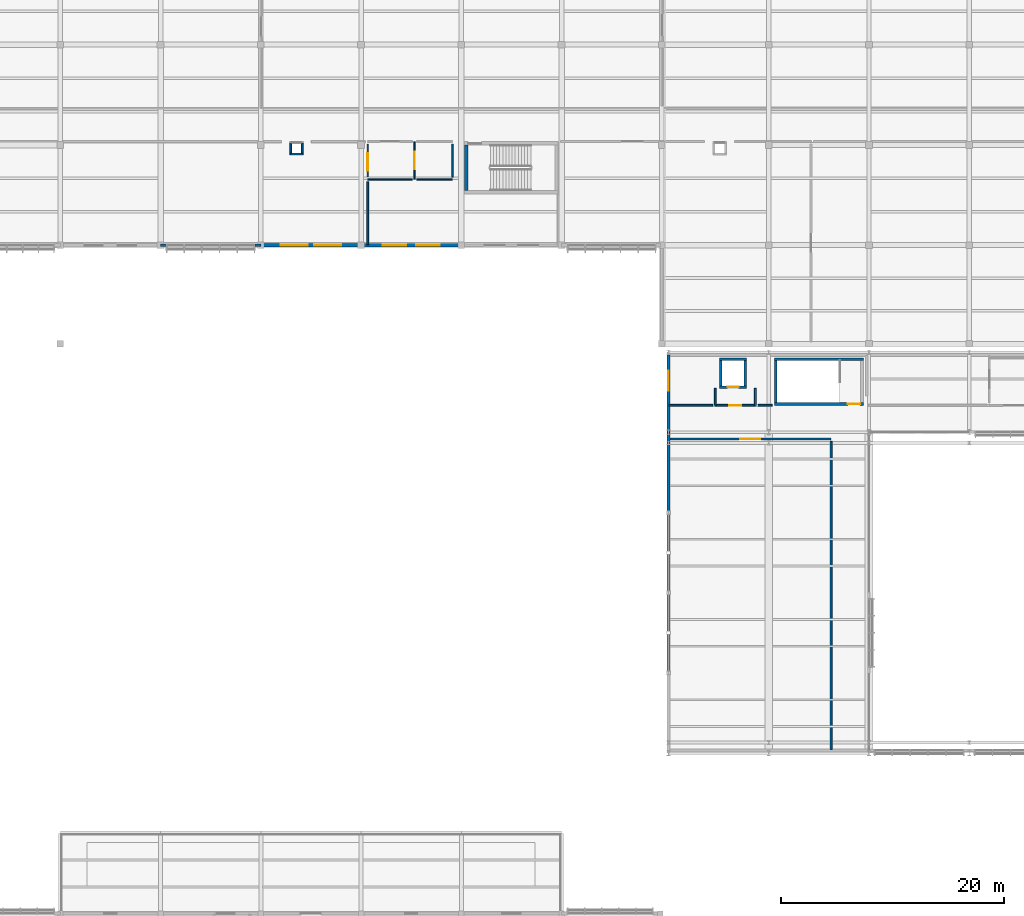
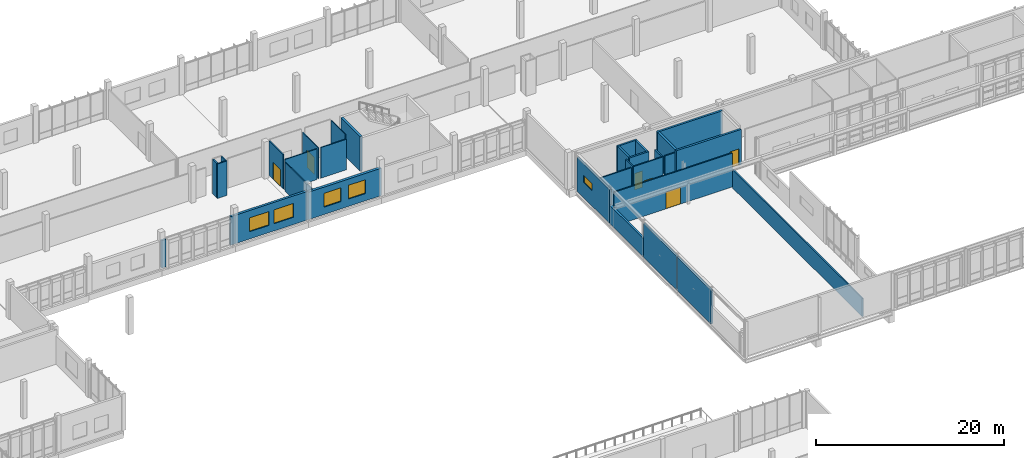
# One storey, part 155 of 177: 32 walls, 6 doors, 5 windows, 11 openings.
"""IFC4 building model written with IfcOpenShell, lengths in metres."""

from ifc_helpers import new_model, si_unit, direction, frame, frame_2d, origin, place, context, subcontext, project, spatial, rectangle, extrude, material, layer, layer_set, type_object, element, fill, save


model = new_model("IFC4")

# Units and contexts
model_context = context("Model", 3, precision=1e-05, world=origin(), true_north=direction((0.0, 1.0)))
body_context = subcontext(model_context, "Body", "Model", "MODEL_VIEW")
ifc_project = project(units=[si_unit("LENGTHUNIT", "METRE"), si_unit("AREAUNIT", "SQUARE_METRE"), si_unit("VOLUMEUNIT", "CUBIC_METRE"), si_unit("PLANEANGLEUNIT", "RADIAN"), si_unit("MASSUNIT", "GRAM", prefix="KILO")], contexts=[model_context])

# Site, building, storey
site_placement = place(None, origin())
site = spatial("IfcSite", under=ifc_project, at=site_placement, CompositionType="ELEMENT")
building_placement = place(site_placement, origin())
building = spatial("IfcBuilding", under=site, at=building_placement, Name="Chiffa Square Polytechnic", CompositionType="ELEMENT")
storey_placement = place(building_placement, frame((0.0, 0.0, 4.800048828125)))
storey = spatial("IfcBuildingStorey", under=building, at=storey_placement, Name="L01", CompositionType="ELEMENT", Elevation=4.800048828125)

# Wall, opening, door
ifc_material_1 = material(Name="Concrete C40/50", Category="concrete")
ifc_layer_1 = layer(ifc_material_1, 0.25, Name="Concrete C40/50")
ifc_layer_set_1 = layer_set([ifc_layer_1], Name="Concrete C40/50")
wall_type_1 = type_object("IfcWallType", Name="WL-CORE-250", PredefinedType="SHEAR", material=ifc_layer_set_1)
wall_1_placement = place(storey_placement, frame((121.699951171875, 89.550048828125, 0.0), z_axis=(0.0, 0.0, 1.0), x_axis=(1.0, 0.0, 0.0)))
wall_1 = element("IfcWall", 1, at=wall_1_placement, inside=storey, type_object=wall_type_1, Name="Core or enclosure wall WC-CORE-V2A-L01-SOUTH", PredefinedType="SHEAR", context=body_context, shape_type="SweptSolid", body=[
    extrude(rectangle(XDim=8.0, YDim=0.25, at=frame_2d((4.0, 0.0))), origin(), (0.0, 0.0, 1.0), 4.599853515625),
])
opening_1_placement = place(wall_1_placement, frame((6.60009765625, 0.0, 0.0)))
opening_1 = element("IfcOpeningElement", 2, at=opening_1_placement, cuts=wall_1, Name="Opening DS-L01-018", PredefinedType="OPENING", context=body_context, shape_type="SweptSolid", body=[
    extrude(rectangle(XDim=1.10009765625, YDim=2.14990234375, at=frame_2d((0.550048828125, 1.074951171875))), frame((0.0, 0.135009765625, 0.0), z_axis=(0.0, -1.0, 0.0), x_axis=(1.0, 0.0, 0.0)), (0.0, 0.0, 1.0), 0.27001953125),
])
ifc_material_2 = material(Name="Fire-rated painted steel leaf", Category="steel")
door_type_1 = type_object("IfcDoorType", Name="DR-STAIR-1100", OperationType="NOTDEFINED", PredefinedType="DOOR", material=ifc_material_2)
door_1_placement = place(opening_1_placement, origin())
door_1 = element("IfcDoor", 3, at=door_1_placement, inside=storey, type_object=door_type_1, Name="Enclosure door DS-L01-018", OperationType="SINGLE_SWING_RIGHT", OverallHeight=2.14990234375, OverallWidth=1.10009765625, PredefinedType="DOOR", context=body_context, shape_type="SweptSolid", body=[
    extrude(rectangle(XDim=1.10009765625, YDim=2.14990234375, at=frame_2d((0.550048828125, 1.074951171875))), frame((0.0, 0.02490234375, 0.0), z_axis=(0.0, -1.0, 0.0), x_axis=(1.0, 0.0, 0.0)), (0.0, 0.0, 1.0), 0.050048828125),
])
fill(opening_1, door_1)

# Walls
wall_2_placement = place(storey_placement, frame((121.699951171875, 93.554931640625, 0.0), z_axis=(0.0, 0.0, 1.0), x_axis=(1.0, 0.0, 0.0)))
element("IfcWall", 4, at=wall_2_placement, inside=storey, type_object=wall_type_1, Name="Core or enclosure wall WC-CORE-V2A-L01-NORTH", PredefinedType="SHEAR", context=body_context, shape_type="SweptSolid", body=[
    extrude(rectangle(XDim=8.0, YDim=0.25, at=frame_2d((4.0, 0.0))), origin(), (0.0, 0.0, 1.0), 4.599853515625),
])
wall_3_placement = place(storey_placement, frame((121.824951171875, 89.675048828125, 0.0), z_axis=(0.0, 0.0, 1.0), x_axis=(0.0, 1.0, 0.0)))
element("IfcWall", 5, at=wall_3_placement, inside=storey, type_object=wall_type_1, Name="Core or enclosure wall WC-CORE-V2A-L01-WEST", PredefinedType="SHEAR", context=body_context, shape_type="SweptSolid", body=[
    extrude(rectangle(XDim=3.7548828125, YDim=0.25, at=frame_2d((1.87744140625, 0.0))), origin(), (0.0, 0.0, 1.0), 4.599853515625),
])
ifc_layer_2 = layer(ifc_material_1, 0.300048828125, Name="Concrete C40/50")
ifc_layer_set_2 = layer_set([ifc_layer_2], Name="Concrete C40/50")
wall_type_2 = type_object("IfcWallType", Name="WL-CORE-300", PredefinedType="SHEAR", material=ifc_layer_set_2)
wall_4_placement = place(storey_placement, frame((94.050048828125, 108.699951171875, 0.0), z_axis=(0.0, 0.0, 1.0), x_axis=(0.0, 1.0, 0.0)))
element("IfcWall", 6, at=wall_4_placement, inside=storey, type_object=wall_type_2, Name="Core or enclosure wall WC-CORE-V5B-L01-WEST", PredefinedType="SHEAR", context=body_context, shape_type="SweptSolid", body=[
    extrude(rectangle(XDim=4.10009765625, YDim=0.300048828125, at=frame_2d((2.050048828125, 0.0))), origin(), (0.0, 0.0, 1.0), 4.47998046875),
])

# Wall, opening, window
ifc_material_3 = material(Name="Precast concrete C40/50", Category="concrete")
ifc_layer_3 = layer(ifc_material_3, 0.239990234375, Name="Precast concrete C40/50")
ifc_layer_set_3 = layer_set([ifc_layer_3], Name="Precast concrete C40/50")
wall_type_3 = type_object("IfcWallType", Name="WL-EXT-PC240", PredefinedType="SOLIDWALL", material=ifc_layer_set_3)
wall_5_placement = place(storey_placement, frame((112.199951171875, 93.949951171875, 0.0), z_axis=(0.0, 0.0, 1.0), x_axis=(0.0, -1.0, 0.0)))
wall_5 = element("IfcWall", 7, at=wall_5_placement, inside=storey, type_object=wall_type_3, Name="Exterior wall WE-V2-L01-0126", PredefinedType="SOLIDWALL", context=body_context, shape_type="SweptSolid", body=[
    extrude(rectangle(XDim=6.949951171875, YDim=0.239990234375, at=frame_2d((3.47509765625, 0.0))), origin(), (0.0, 0.0, 1.0), 4.39501953125),
])
opening_2_placement = place(wall_5_placement, frame((1.4169921875, 0.0, 2.0)))
opening_2 = element("IfcOpeningElement", 8, at=opening_2_placement, cuts=wall_5, Name="Opening WCL-05", PredefinedType="OPENING", context=body_context, shape_type="SweptSolid", body=[
    extrude(rectangle(XDim=1.800048828125, YDim=0.89990234375, at=frame_2d((0.89990234375, 0.449951171875))), frame((0.0, 0.1298828125, 0.0), z_axis=(0.0, -1.0, 0.0), x_axis=(1.0, 0.0, 0.0)), (0.0, 0.0, 1.0), 0.260009765625),
])
ifc_material_4 = material(Name="Double glazing in thermally broken aluminium frame", Category="aluminium")
window_type_1 = type_object("IfcWindowType", Name="WIN-CLR-1800X0900", PartitioningType="DOUBLE_PANEL_VERTICAL", PredefinedType="WINDOW", material=ifc_material_4)
window_1_placement = place(opening_2_placement, origin())
window_1 = element("IfcWindow", 9, at=window_1_placement, inside=storey, type_object=window_type_1, Name="Facade window WN-L01-0118", OverallHeight=0.89990234375, OverallWidth=1.800048828125, PartitioningType="DOUBLE_PANEL_VERTICAL", PredefinedType="WINDOW", context=body_context, shape_type="SweptSolid", body=[
    extrude(rectangle(XDim=1.800048828125, YDim=0.89990234375, at=frame_2d((0.89990234375, 0.449951171875))), frame((0.0, 0.030029296875, 0.0), z_axis=(0.0, -1.0, 0.0), x_axis=(1.0, 0.0, 0.0)), (0.0, 0.0, 1.0), 0.06005859375),
])
fill(opening_2, window_1)

# Walls
wall_6_placement = place(storey_placement, frame((112.199951171875, 87.0, 0.0), z_axis=(0.0, 0.0, 1.0), x_axis=(0.0, -1.0, 0.0)))
element("IfcWall", 10, at=wall_6_placement, inside=storey, type_object=wall_type_3, Name="Exterior wall WE-V2-L01-0127", PredefinedType="SOLIDWALL", context=body_context, shape_type="SweptSolid", body=[
    extrude(rectangle(XDim=7.199951171875, YDim=0.239990234375, at=frame_2d((3.60009765625, 0.0))), origin(), (0.0, 0.0, 1.0), 2.385009765625),
])
wall_7_placement = place(storey_placement, frame((112.199951171875, 79.800048828125, 0.0), z_axis=(0.0, 0.0, 1.0), x_axis=(0.0, -1.0, 0.0)))
element("IfcWall", 11, at=wall_7_placement, inside=storey, type_object=wall_type_3, Name="Exterior wall WE-V2-L01-0128", PredefinedType="SOLIDWALL", context=body_context, shape_type="SweptSolid", body=[
    extrude(rectangle(XDim=7.199951171875, YDim=0.239990234375, at=frame_2d((3.60009765625, 0.0))), origin(), (0.0, 0.0, 1.0), 4.39501953125),
])
wall_8_placement = place(storey_placement, frame((112.199951171875, 72.60009765625, 0.0), z_axis=(0.0, 0.0, 1.0), x_axis=(0.0, -1.0, 0.0)))
element("IfcWall", 12, at=wall_8_placement, inside=storey, type_object=wall_type_3, Name="Exterior wall WE-V2-L01-0129", PredefinedType="SOLIDWALL", context=body_context, shape_type="SweptSolid", body=[
    extrude(rectangle(XDim=7.2001953125, YDim=0.239990234375, at=frame_2d((3.60009765625, 0.0))), origin(), (0.0, 0.0, 1.0), 4.39501953125),
])
ifc_layer_4 = layer(ifc_material_3, 0.260009765625, Name="Precast concrete C40/50")
ifc_layer_set_4 = layer_set([ifc_layer_4], Name="Precast concrete C40/50")
wall_type_4 = type_object("IfcWallType", Name="WL-EXT-PC260", PredefinedType="SOLIDWALL", material=ifc_layer_set_4)
wall_9_placement = place(storey_placement, frame((66.60009765625, 103.800048828125, 0.0), z_axis=(0.0, 0.0, 1.0), x_axis=(1.0, 0.0, 0.0)))
element("IfcWall", 13, at=wall_9_placement, inside=storey, type_object=wall_type_4, Name="Facade column pier V5-L01-0261L", PredefinedType="SOLIDWALL", context=body_context, shape_type="SweptSolid", body=[
    extrude(rectangle(XDim=0.539794921875, YDim=0.260009765625, at=frame_2d((0.27001953125, 0.0))), origin(), (0.0, 0.0, 1.0), 3.56494140625),
])
wall_10_placement = place(storey_placement, frame((75.06005859375, 103.800048828125, 0.0), z_axis=(0.0, 0.0, 1.0), x_axis=(1.0, 0.0, 0.0)))
element("IfcWall", 14, at=wall_10_placement, inside=storey, type_object=wall_type_4, Name="Facade column pier V5-L01-0261R", PredefinedType="SOLIDWALL", context=body_context, shape_type="SweptSolid", body=[
    extrude(rectangle(XDim=0.5400390625, YDim=0.260009765625, at=frame_2d((0.27001953125, 0.0))), origin(), (0.0, 0.0, 1.0), 3.71484375),
])

# Wall, openings, windows
ifc_layer_5 = layer(ifc_material_3, 0.280029296875, Name="Precast concrete C40/50")
ifc_layer_set_5 = layer_set([ifc_layer_5], Name="Precast concrete C40/50")
wall_type_5 = type_object("IfcWallType", Name="WL-EXT-PC280", PredefinedType="SOLIDWALL", material=ifc_layer_set_5)
wall_11_placement = place(storey_placement, frame((75.60009765625, 103.800048828125, 0.0), z_axis=(0.0, 0.0, 1.0), x_axis=(1.0, 0.0, 0.0)))
wall_11 = element("IfcWall", 15, at=wall_11_placement, inside=storey, type_object=wall_type_5, Name="Exterior wall WE-V5-L01-0262", PredefinedType="SOLIDWALL", context=body_context, shape_type="SweptSolid", body=[
    extrude(rectangle(XDim=9.0, YDim=0.280029296875, at=frame_2d((4.5, 0.0))), origin(), (0.0, 0.0, 1.0), 3.71484375),
])
opening_3_placement = place(wall_11_placement, frame((1.800048828125, 0.0, 0.949951171875)))
opening_3 = element("IfcOpeningElement", 16, at=opening_3_placement, cuts=wall_11, Name="Opening W-01", PredefinedType="OPENING", context=body_context, shape_type="SweptSolid", body=[
    extrude(rectangle(XDim=2.39990234375, YDim=1.800048828125, at=frame_2d((1.199951171875, 0.89990234375))), frame((0.0, 0.14990234375, 0.0), z_axis=(0.0, -1.0, 0.0), x_axis=(1.0, 0.0, 0.0)), (0.0, 0.0, 1.0), 0.300048828125),
])
opening_4_placement = place(wall_11_placement, frame((4.800048828125, 0.0, 0.949951171875)))
opening_4 = element("IfcOpeningElement", 17, at=opening_4_placement, cuts=wall_11, Name="Opening W-01", PredefinedType="OPENING", context=body_context, shape_type="SweptSolid", body=[
    extrude(rectangle(XDim=2.39990234375, YDim=1.800048828125, at=frame_2d((1.199951171875, 0.89990234375))), frame((0.0, 0.14990234375, 0.0), z_axis=(0.0, -1.0, 0.0), x_axis=(1.0, 0.0, 0.0)), (0.0, 0.0, 1.0), 0.300048828125),
])
window_type_2 = type_object("IfcWindowType", Name="WIN-LAB-2400X1800", PartitioningType="DOUBLE_PANEL_VERTICAL", PredefinedType="WINDOW", material=ifc_material_4)
window_2_placement = place(opening_3_placement, origin())
window_2 = element("IfcWindow", 18, at=window_2_placement, inside=storey, type_object=window_type_2, Name="Facade window WN-L01-0154", OverallHeight=1.800048828125, OverallWidth=2.39990234375, PartitioningType="DOUBLE_PANEL_VERTICAL", PredefinedType="WINDOW", context=body_context, shape_type="SweptSolid", body=[
    extrude(rectangle(XDim=2.39990234375, YDim=1.800048828125, at=frame_2d((1.199951171875, 0.89990234375))), frame((0.0, 0.030029296875, 0.0), z_axis=(0.0, -1.0, 0.0), x_axis=(1.0, 0.0, 0.0)), (0.0, 0.0, 1.0), 0.06005859375),
])
fill(opening_3, window_2)
window_3_placement = place(opening_4_placement, origin())
window_3 = element("IfcWindow", 19, at=window_3_placement, inside=storey, type_object=window_type_2, Name="Facade window WN-L01-0155", OverallHeight=1.800048828125, OverallWidth=2.39990234375, PartitioningType="DOUBLE_PANEL_VERTICAL", PredefinedType="WINDOW", context=body_context, shape_type="SweptSolid", body=[
    extrude(rectangle(XDim=2.39990234375, YDim=1.800048828125, at=frame_2d((1.199951171875, 0.89990234375))), frame((0.0, 0.030029296875, 0.0), z_axis=(0.0, -1.0, 0.0), x_axis=(1.0, 0.0, 0.0)), (0.0, 0.0, 1.0), 0.06005859375),
])
fill(opening_4, window_3)

ifc_layer_6 = layer(ifc_material_3, 0.320068359375, Name="Precast concrete C40/50")
ifc_layer_set_6 = layer_set([ifc_layer_6], Name="Precast concrete C40/50")
wall_type_6 = type_object("IfcWallType", Name="WL-EXT-PC320", PredefinedType="SOLIDWALL", material=ifc_layer_set_6)
wall_12_placement = place(storey_placement, frame((84.60009765625, 103.800048828125, 0.0), z_axis=(0.0, 0.0, 1.0), x_axis=(1.0, 0.0, 0.0)))
wall_12 = element("IfcWall", 20, at=wall_12_placement, inside=storey, type_object=wall_type_6, Name="Exterior wall WE-V5-L01-0263", PredefinedType="SOLIDWALL", context=body_context, shape_type="SweptSolid", body=[
    extrude(rectangle(XDim=9.0, YDim=0.320068359375, at=frame_2d((4.5, 0.0))), origin(), (0.0, 0.0, 1.0), 3.56494140625),
])
opening_5_placement = place(wall_12_placement, frame((1.949951171875, 0.0, 0.949951171875)))
opening_5 = element("IfcOpeningElement", 21, at=opening_5_placement, cuts=wall_12, Name="Opening W-03", PredefinedType="OPENING", context=body_context, shape_type="SweptSolid", body=[
    extrude(rectangle(XDim=2.10009765625, YDim=1.800048828125, at=frame_2d((1.050048828125, 0.89990234375))), frame((0.0, 0.169921875, 0.0), z_axis=(0.0, -1.0, 0.0), x_axis=(1.0, 0.0, 0.0)), (0.0, 0.0, 1.0), 0.340087890625),
])
opening_6_placement = place(wall_12_placement, frame((4.949951171875, 0.0, 0.949951171875)))
opening_6 = element("IfcOpeningElement", 22, at=opening_6_placement, cuts=wall_12, Name="Opening W-03", PredefinedType="OPENING", context=body_context, shape_type="SweptSolid", body=[
    extrude(rectangle(XDim=2.10009765625, YDim=1.800048828125, at=frame_2d((1.050048828125, 0.89990234375))), frame((0.0, 0.169921875, 0.0), z_axis=(0.0, -1.0, 0.0), x_axis=(1.0, 0.0, 0.0)), (0.0, 0.0, 1.0), 0.340087890625),
])
window_type_3 = type_object("IfcWindowType", Name="WIN-LAB-2100X1800", PartitioningType="DOUBLE_PANEL_VERTICAL", PredefinedType="WINDOW", material=ifc_material_4)
window_4_placement = place(opening_5_placement, origin())
window_4 = element("IfcWindow", 23, at=window_4_placement, inside=storey, type_object=window_type_3, Name="Facade window WN-L01-0156", OverallHeight=1.800048828125, OverallWidth=2.10009765625, PartitioningType="DOUBLE_PANEL_VERTICAL", PredefinedType="WINDOW", context=body_context, shape_type="SweptSolid", body=[
    extrude(rectangle(XDim=2.10009765625, YDim=1.800048828125, at=frame_2d((1.050048828125, 0.89990234375))), frame((0.0, 0.030029296875, 0.0), z_axis=(0.0, -1.0, 0.0), x_axis=(1.0, 0.0, 0.0)), (0.0, 0.0, 1.0), 0.06005859375),
])
fill(opening_5, window_4)
window_5_placement = place(opening_6_placement, origin())
window_5 = element("IfcWindow", 24, at=window_5_placement, inside=storey, type_object=window_type_3, Name="Facade window WN-L01-0157", OverallHeight=1.800048828125, OverallWidth=2.10009765625, PartitioningType="DOUBLE_PANEL_VERTICAL", PredefinedType="WINDOW", context=body_context, shape_type="SweptSolid", body=[
    extrude(rectangle(XDim=2.10009765625, YDim=1.800048828125, at=frame_2d((1.050048828125, 0.89990234375))), frame((0.0, 0.030029296875, 0.0), z_axis=(0.0, -1.0, 0.0), x_axis=(1.0, 0.0, 0.0)), (0.0, 0.0, 1.0), 0.06005859375),
])
fill(opening_6, window_5)

# Walls
ifc_material_5 = material(Name="Gypsum board on steel stud", Category="steel")
ifc_layer_7 = layer(ifc_material_5, 0.135009765625, Name="Gypsum board on steel stud")
ifc_layer_set_7 = layer_set([ifc_layer_7], Name="Gypsum board on steel stud")
wall_type_7 = type_object("IfcWallType", Name="WL-PART-135", PredefinedType="PARTITIONING", material=ifc_layer_set_7)
wall_13_placement = place(storey_placement, frame((85.199951171875, 103.85498046875, 0.0), z_axis=(0.0, 0.0, 1.0), x_axis=(0.0, 1.0, 0.0)))
element("IfcWall", 25, at=wall_13_placement, inside=storey, type_object=wall_type_7, Name="Interior partition WP-V5-L01-0349", PredefinedType="PARTITIONING", context=body_context, shape_type="SweptSolid", body=[
    extrude(rectangle(XDim=5.625, YDim=0.135009765625, at=frame_2d((2.8125, 0.0))), origin(), (0.0, 0.0, 1.0), 3.71484375),
])
ifc_material_6 = material(Name="Gypsum board on acoustic steel stud", Category="steel")
ifc_layer_8 = layer(ifc_material_6, 0.159912109375, Name="Gypsum board on acoustic steel stud")
ifc_layer_set_8 = layer_set([ifc_layer_8], Name="Gypsum board on acoustic steel stud")
wall_type_8 = type_object("IfcWallType", Name="WL-PART-EI60-160", PredefinedType="PARTITIONING", material=ifc_layer_set_8)
wall_14_placement = place(storey_placement, frame((78.199951171875, 111.97998046875, 0.0), z_axis=(0.0, 0.0, 1.0), x_axis=(1.0, 0.0, 0.0)))
element("IfcWall", 26, at=wall_14_placement, inside=storey, type_object=wall_type_8, Name="Core or enclosure wall WP-RSR-V5-M-L01-SOUTH", PredefinedType="PARTITIONING", context=body_context, shape_type="SweptSolid", body=[
    extrude(rectangle(XDim=1.199951171875, YDim=0.159912109375, at=frame_2d((0.60009765625, 0.0))), origin(), (0.0, 0.0, 1.0), 4.47998046875),
])
for number, where, z_axis, x_axis, name in (
    (27, (78.280029296875, 112.06005859375, 0.0), (0.0, 0.0, 1.0), (0.0, 1.0, 0.0), "Core or enclosure wall WP-RSR-V5-M-L01-WEST"),
    (28, (79.320068359375, 112.06005859375, 0.0), (0.0, 0.0, 1.0), (0.0, 1.0, 0.0), "Core or enclosure wall WP-RSR-V5-M-L01-EAST"),
):
    element("IfcWall", number, at=place(storey_placement, frame(where, z_axis=z_axis, x_axis=x_axis)), inside=storey, type_object=wall_type_8, Name=name, PredefinedType="PARTITIONING", context=body_context, shape_type="SweptSolid", body=[
        extrude(rectangle(XDim=0.8798828125, YDim=0.159912109375, at=frame_2d((0.43994140625, 0.0))), origin(), (0.0, 0.0, 1.0), 4.47998046875),
    ])

# Wall, opening, door
wall_15_placement = place(storey_placement, frame((116.39990234375, 89.425048828125, 0.0), z_axis=(0.0, 0.0, 1.0), x_axis=(1.0, 0.0, 0.0)))
wall_15 = element("IfcWall", 29, at=wall_15_placement, inside=storey, type_object=wall_type_8, Name="Lift lobby rated enclosure WP-LOB-LP-V2-L01-SOUTH", PredefinedType="PARTITIONING", context=body_context, shape_type="SweptSolid", body=[
    extrude(rectangle(XDim=3.60009765625, YDim=0.159912109375, at=frame_2d((1.800048828125, 0.0))), origin(), (0.0, 0.0, 1.0), 4.449951171875),
])
opening_7_placement = place(wall_15_placement, frame((1.25, 0.0, 0.0)))
opening_7 = element("IfcOpeningElement", 30, at=opening_7_placement, cuts=wall_15, Name="Opening DI-L01-026", PredefinedType="OPENING", context=body_context, shape_type="SweptSolid", body=[
    extrude(rectangle(XDim=1.10009765625, YDim=2.14990234375, at=frame_2d((0.550048828125, 1.074951171875))), frame((0.0, 0.08984375, 0.0), z_axis=(0.0, -1.0, 0.0), x_axis=(1.0, 0.0, 0.0)), (0.0, 0.0, 1.0), 0.179931640625),
])
ifc_material_7 = material(Name="Solid core ash veneer door")
door_type_2 = type_object("IfcDoorType", Name="DR-INT-1100", OperationType="NOTDEFINED", PredefinedType="DOOR", material=ifc_material_7)
door_2_placement = place(opening_7_placement, origin())
door_2 = element("IfcDoor", 31, at=door_2_placement, inside=storey, type_object=door_type_2, Name="Lift lobby fire door DI-L01-026", OperationType="SINGLE_SWING_LEFT", OverallHeight=2.14990234375, OverallWidth=1.10009765625, PredefinedType="DOOR", context=body_context, shape_type="SweptSolid", body=[
    extrude(rectangle(XDim=1.10009765625, YDim=2.14990234375, at=frame_2d((0.550048828125, 1.074951171875))), frame((0.0, 0.02490234375, 0.0), z_axis=(0.0, -1.0, 0.0), x_axis=(1.0, 0.0, 0.0)), (0.0, 0.0, 1.0), 0.050048828125),
])
fill(opening_7, door_2)

# Walls
for number, where, z_axis, x_axis, name in (
    (32, (116.39990234375, 89.425048828125, 0.0), (0.0, 0.0, 1.0), (0.0, 1.0, 0.0), "Lift lobby rated enclosure WP-LOB-LP-V2-L01-WEST"),
    (33, (120.0, 89.425048828125, 0.0), (0.0, 0.0, 1.0), (0.0, 1.0, 0.0), "Lift lobby rated enclosure WP-LOB-LP-V2-L01-EAST"),
):
    element("IfcWall", number, at=place(storey_placement, frame(where, z_axis=z_axis, x_axis=x_axis)), inside=storey, type_object=wall_type_8, Name=name, PredefinedType="PARTITIONING", context=body_context, shape_type="SweptSolid", body=[
        extrude(rectangle(XDim=1.52490234375, YDim=0.159912109375, at=frame_2d((0.762451171875, 0.0))), origin(), (0.0, 0.0, 1.0), 4.449951171875),
    ])

# Wall, opening, door
wall_16_placement = place(storey_placement, frame((112.2548828125, 86.39990234375, 0.0), z_axis=(0.0, 0.0, 1.0), x_axis=(1.0, 0.0, 0.0)))
wall_16 = element("IfcWall", 34, at=wall_16_placement, inside=storey, type_object=wall_type_8, Name="Interior partition WP-V2-L01-0315", PredefinedType="PARTITIONING", context=body_context, shape_type="SweptSolid", body=[
    extrude(rectangle(XDim=14.545166015625, YDim=0.159912109375, at=frame_2d((7.2724609375, 0.0))), origin(), (0.0, 0.0, 1.0), 4.39501953125),
])
opening_8_placement = place(wall_16_placement, frame((6.373046875, 0.0, 0.0)))
opening_8 = element("IfcOpeningElement", 35, at=opening_8_placement, cuts=wall_16, Name="Opening DI-L01-143", PredefinedType="OPENING", context=body_context, shape_type="SweptSolid", body=[
    extrude(rectangle(XDim=1.800048828125, YDim=2.199951171875, at=frame_2d((0.89990234375, 1.10009765625))), frame((0.0, 0.08984375, 0.0), z_axis=(0.0, -1.0, 0.0), x_axis=(1.0, 0.0, 0.0)), (0.0, 0.0, 1.0), 0.179931640625),
])
ifc_material_8 = material(Name="Solid oak fire door pair")
door_type_3 = type_object("IfcDoorType", Name="DR-CORR-DBL-1800", OperationType="DOUBLE_DOOR_SINGLE_SWING", PredefinedType="DOOR", material=ifc_material_8)
door_3_placement = place(opening_8_placement, origin())
door_3 = element("IfcDoor", 36, at=door_3_placement, inside=storey, type_object=door_type_3, Name="Interior room door DI-L01-143", OperationType="DOUBLE_DOOR_SINGLE_SWING", OverallHeight=2.199951171875, OverallWidth=1.800048828125, PredefinedType="DOOR", context=body_context, shape_type="SweptSolid", body=[
    extrude(rectangle(XDim=1.800048828125, YDim=2.199951171875, at=frame_2d((0.89990234375, 1.10009765625))), frame((0.0, 0.02490234375, 0.0), z_axis=(0.0, -1.0, 0.0), x_axis=(1.0, 0.0, 0.0)), (0.0, 0.0, 1.0), 0.050048828125),
])
fill(opening_8, door_3)

# Walls
wall_17_placement = place(storey_placement, frame((126.800048828125, 58.5048828125, 0.0), z_axis=(0.0, 0.0, 1.0), x_axis=(0.0, 1.0, 0.0)))
element("IfcWall", 37, at=wall_17_placement, inside=storey, type_object=wall_type_8, Name="Interior partition WP-V2-L01-0316", PredefinedType="PARTITIONING", context=body_context, shape_type="SweptSolid", body=[
    extrude(rectangle(XDim=27.675048828125, YDim=0.159912109375, at=frame_2d((13.83740234375, 0.0))), origin(), (0.0, 0.0, 1.0), 2.385009765625),
])
wall_18_placement = place(storey_placement, frame((112.2548828125, 89.425048828125, 0.0), z_axis=(0.0, 0.0, 1.0), x_axis=(1.0, 0.0, 0.0)))
element("IfcWall", 38, at=wall_18_placement, inside=storey, type_object=wall_type_8, Name="Interior partition WP-V2-L01-0368", PredefinedType="PARTITIONING", context=body_context, shape_type="SweptSolid", body=[
    extrude(rectangle(XDim=3.905029296875, YDim=0.159912109375, at=frame_2d((1.95263671875, 0.0))), origin(), (0.0, 0.0, 1.0), 4.39501953125),
])
wall_19_placement = place(storey_placement, frame((120.239990234375, 89.425048828125, 0.0), z_axis=(0.0, 0.0, 1.0), x_axis=(1.0, 0.0, 0.0)))
element("IfcWall", 39, at=wall_19_placement, inside=storey, type_object=wall_type_8, Name="Interior partition WP-V2-L01-0369", PredefinedType="PARTITIONING", context=body_context, shape_type="SweptSolid", body=[
    extrude(rectangle(XDim=1.255126953125, YDim=0.159912109375, at=frame_2d((0.62744140625, 0.0))), origin(), (0.0, 0.0, 1.0), 4.47998046875),
])

# Wall, opening, door
ifc_material_9 = material(Name="Moisture-resistant board partition")
ifc_layer_9 = layer(ifc_material_9, 0.1201171875, Name="Moisture-resistant board partition")
ifc_layer_set_9 = layer_set([ifc_layer_9], Name="Moisture-resistant board partition")
wall_type_9 = type_object("IfcWallType", Name="WL-PART-WC-120", PredefinedType="PARTITIONING", material=ifc_layer_set_9)
wall_20_placement = place(storey_placement, frame((89.39990234375, 109.699951171875, 0.0), z_axis=(0.0, 0.0, 1.0), x_axis=(0.0, 1.0, 0.0)))
wall_20 = element("IfcWall", 40, at=wall_20_placement, inside=storey, type_object=wall_type_9, Name="Interior partition WP-V5-L01-0227", PredefinedType="PARTITIONING", context=body_context, shape_type="SweptSolid", body=[
    extrude(rectangle(XDim=3.400146484375, YDim=0.1201171875, at=frame_2d((1.7001953125, 0.0))), origin(), (0.0, 0.0, 1.0), 3.98486328125),
])
opening_9_placement = place(wall_20_placement, frame((0.89990234375, 0.0, 0.0)))
opening_9 = element("IfcOpeningElement", 41, at=opening_9_placement, cuts=wall_20, Name="Opening DI-L01-110", PredefinedType="OPENING", context=body_context, shape_type="SweptSolid", body=[
    extrude(rectangle(XDim=1.60009765625, YDim=2.199951171875, at=frame_2d((0.800048828125, 1.10009765625))), frame((0.0, 0.070068359375, 0.0), z_axis=(0.0, -1.0, 0.0), x_axis=(1.0, 0.0, 0.0)), (0.0, 0.0, 1.0), 0.14013671875),
])
ifc_material_10 = material(Name="Vision-panel timber laboratory door", Category="wood")
door_type_4 = type_object("IfcDoorType", Name="DR-LAB-DBL-1600", OperationType="DOUBLE_DOOR_SINGLE_SWING", PredefinedType="DOOR", material=ifc_material_10)
door_4_placement = place(opening_9_placement, origin())
door_4 = element("IfcDoor", 42, at=door_4_placement, inside=storey, type_object=door_type_4, Name="Interior room door DI-L01-110", OperationType="DOUBLE_DOOR_SINGLE_SWING", OverallHeight=2.199951171875, OverallWidth=1.60009765625, PredefinedType="DOOR", context=body_context, shape_type="SweptSolid", body=[
    extrude(rectangle(XDim=1.60009765625, YDim=2.199951171875, at=frame_2d((0.800048828125, 1.10009765625))), frame((0.0, 0.02490234375, 0.0), z_axis=(0.0, -1.0, 0.0), x_axis=(1.0, 0.0, 0.0)), (0.0, 0.0, 1.0), 0.050048828125),
])
fill(opening_9, door_4)

# Walls
wall_21_placement = place(storey_placement, frame((89.6201171875, 109.699951171875, 0.0), z_axis=(0.0, 0.0, 1.0), x_axis=(1.0, 0.0, 0.0)))
element("IfcWall", 43, at=wall_21_placement, inside=storey, type_object=wall_type_9, Name="Interior partition WP-V5-L01-0228", PredefinedType="PARTITIONING", context=body_context, shape_type="SweptSolid", body=[
    extrude(rectangle(XDim=3.179931640625, YDim=0.1201171875, at=frame_2d((1.58984375, 0.0))), origin(), (0.0, 0.0, 1.0), 3.98486328125),
])
wall_22_placement = place(storey_placement, frame((92.800048828125, 109.919921875, 0.0), z_axis=(0.0, 0.0, 1.0), x_axis=(0.0, 1.0, 0.0)))
element("IfcWall", 44, at=wall_22_placement, inside=storey, type_object=wall_type_9, Name="Interior partition WP-V5-L01-0230", PredefinedType="PARTITIONING", context=body_context, shape_type="SweptSolid", body=[
    extrude(rectangle(XDim=2.9599609375, YDim=0.1201171875, at=frame_2d((1.47998046875, 0.0))), origin(), (0.0, 0.0, 1.0), 4.47998046875),
])
wall_23_placement = place(storey_placement, frame((85.199951171875, 109.699951171875, 0.0), z_axis=(0.0, 0.0, 1.0), x_axis=(1.0, 0.0, 0.0)))
element("IfcWall", 45, at=wall_23_placement, inside=storey, type_object=wall_type_9, Name="Interior partition WP-V5-L01-0246", PredefinedType="PARTITIONING", context=body_context, shape_type="SweptSolid", body=[
    extrude(rectangle(XDim=3.97998046875, YDim=0.1201171875, at=frame_2d((1.989990234375, 0.0))), origin(), (0.0, 0.0, 1.0), 3.98486328125),
])

# Wall, opening, door
wall_24_placement = place(storey_placement, frame((85.199951171875, 109.919921875, 0.0), z_axis=(0.0, 0.0, 1.0), x_axis=(0.0, 1.0, 0.0)))
wall_24 = element("IfcWall", 46, at=wall_24_placement, inside=storey, type_object=wall_type_9, Name="Interior partition WP-V5-L01-0247", PredefinedType="PARTITIONING", context=body_context, shape_type="SweptSolid", body=[
    extrude(rectangle(XDim=2.9599609375, YDim=0.1201171875, at=frame_2d((1.47998046875, 0.0))), origin(), (0.0, 0.0, 1.0), 4.47998046875),
])
opening_10_placement = place(wall_24_placement, frame((0.551025390625, 0.0, 0.0)))
opening_10 = element("IfcOpeningElement", 47, at=opening_10_placement, cuts=wall_24, Name="Opening DI-L01-117", PredefinedType="OPENING", context=body_context, shape_type="SweptSolid", body=[
    extrude(rectangle(XDim=1.60009765625, YDim=2.199951171875, at=frame_2d((0.800048828125, 1.10009765625))), frame((0.0, 0.070068359375, 0.0), z_axis=(0.0, -1.0, 0.0), x_axis=(1.0, 0.0, 0.0)), (0.0, 0.0, 1.0), 0.14013671875),
])
door_5_placement = place(opening_10_placement, origin())
door_5 = element("IfcDoor", 48, at=door_5_placement, inside=storey, type_object=door_type_4, Name="Interior room door DI-L01-117", OperationType="DOUBLE_DOOR_SINGLE_SWING", OverallHeight=2.199951171875, OverallWidth=1.60009765625, PredefinedType="DOOR", context=body_context, shape_type="SweptSolid", body=[
    extrude(rectangle(XDim=1.60009765625, YDim=2.199951171875, at=frame_2d((0.800048828125, 1.10009765625))), frame((0.0, 0.02490234375, 0.0), z_axis=(0.0, -1.0, 0.0), x_axis=(1.0, 0.0, 0.0)), (0.0, 0.0, 1.0), 0.050048828125),
])
fill(opening_10, door_5)

ifc_material_11 = material(Name="Concrete C35/45", Category="concrete")
ifc_layer_10 = layer(ifc_material_11, 0.219970703125, Name="Concrete C35/45")
ifc_layer_set_10 = layer_set([ifc_layer_10], Name="Concrete C35/45")
wall_type_10 = type_object("IfcWallType", Name="WL-SHAFT-220", PredefinedType="SHEAR", material=ifc_layer_set_10)
wall_25_placement = place(storey_placement, frame((116.800048828125, 91.06005859375, 0.0), z_axis=(0.0, 0.0, 1.0), x_axis=(1.0, 0.0, 0.0)))
wall_25 = element("IfcWall", 49, at=wall_25_placement, inside=storey, type_object=wall_type_10, Name="Core or enclosure wall WS-LP-V2-L01-SOUTH", PredefinedType="SHEAR", context=body_context, shape_type="SweptSolid", body=[
    extrude(rectangle(XDim=2.39990234375, YDim=0.219970703125, at=frame_2d((1.199951171875, 0.0))), origin(), (0.0, 0.0, 1.0), 4.449951171875),
])
opening_11_placement = place(wall_25_placement, frame((0.699951171875, 0.0, 0.0)))
opening_11 = element("IfcOpeningElement", 50, at=opening_11_placement, cuts=wall_25, Name="Opening LD-LP-V2-L01", PredefinedType="OPENING", context=body_context, shape_type="SweptSolid", body=[
    extrude(rectangle(XDim=1.0, YDim=2.14990234375, at=frame_2d((0.5, 1.074951171875))), frame((0.0, 0.1201171875, 0.0), z_axis=(0.0, -1.0, 0.0), x_axis=(1.0, 0.0, 0.0)), (0.0, 0.0, 1.0), 0.239990234375),
])
ifc_material_12 = material(Name="Brushed stainless steel sliding landing door", Category="steel")
door_type_5 = type_object("IfcDoorType", Name="DR-LIFT-1000", OperationType="SLIDING_TO_RIGHT", PredefinedType="DOOR", material=ifc_material_12)
door_6_placement = place(opening_11_placement, origin())
door_6 = element("IfcDoor", 51, at=door_6_placement, inside=storey, type_object=door_type_5, Name="Enclosure door LD-LP-V2-L01", OperationType="SLIDING_TO_RIGHT", OverallHeight=2.14990234375, OverallWidth=1.0, PredefinedType="DOOR", context=body_context, shape_type="SweptSolid", body=[
    extrude(rectangle(XDim=1.0, YDim=2.14990234375, at=frame_2d((0.5, 1.074951171875))), frame((0.0, 0.02490234375, 0.0), z_axis=(0.0, -1.0, 0.0), x_axis=(1.0, 0.0, 0.0)), (0.0, 0.0, 1.0), 0.050048828125),
])
fill(opening_11, door_6)

# Walls
wall_26_placement = place(storey_placement, frame((116.800048828125, 93.570068359375, 0.0), z_axis=(0.0, 0.0, 1.0), x_axis=(1.0, 0.0, 0.0)))
element("IfcWall", 52, at=wall_26_placement, inside=storey, type_object=wall_type_10, Name="Core or enclosure wall WS-LP-V2-L01-NORTH", PredefinedType="SHEAR", context=body_context, shape_type="SweptSolid", body=[
    extrude(rectangle(XDim=2.39990234375, YDim=0.219970703125, at=frame_2d((1.199951171875, 0.0))), origin(), (0.0, 0.0, 1.0), 4.449951171875),
])
for number, where, z_axis, x_axis, name in (
    (53, (116.909912109375, 91.169921875, 0.0), (0.0, 0.0, 1.0), (0.0, 1.0, 0.0), "Core or enclosure wall WS-LP-V2-L01-WEST"),
    (54, (119.090087890625, 91.169921875, 0.0), (0.0, 0.0, 1.0), (0.0, 1.0, 0.0), "Core or enclosure wall WS-LP-V2-L01-EAST"),
):
    element("IfcWall", number, at=place(storey_placement, frame(where, z_axis=z_axis, x_axis=x_axis)), inside=storey, type_object=wall_type_10, Name=name, PredefinedType="SHEAR", context=body_context, shape_type="SweptSolid", body=[
        extrude(rectangle(XDim=2.2900390625, YDim=0.219970703125, at=frame_2d((1.14501953125, 0.0))), origin(), (0.0, 0.0, 1.0), 4.449951171875),
    ])

save(model, "model.ifc")
